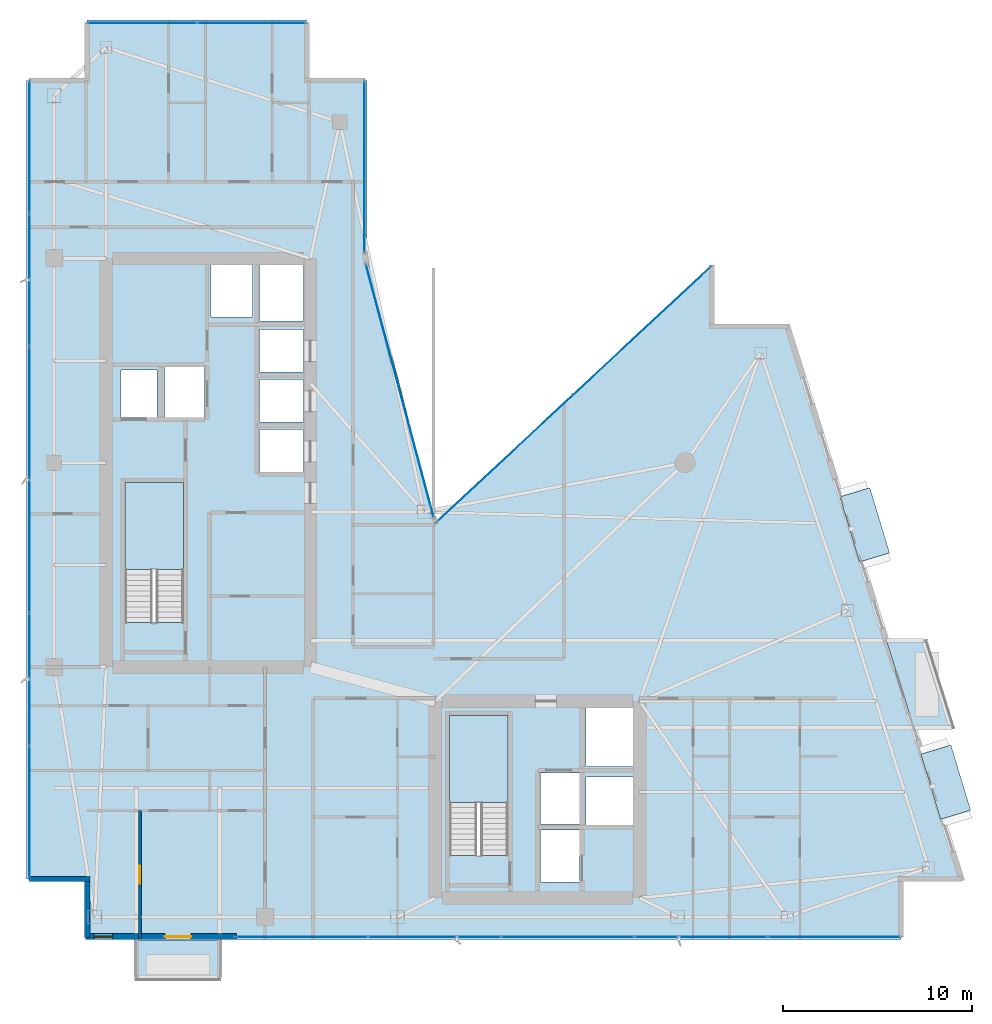
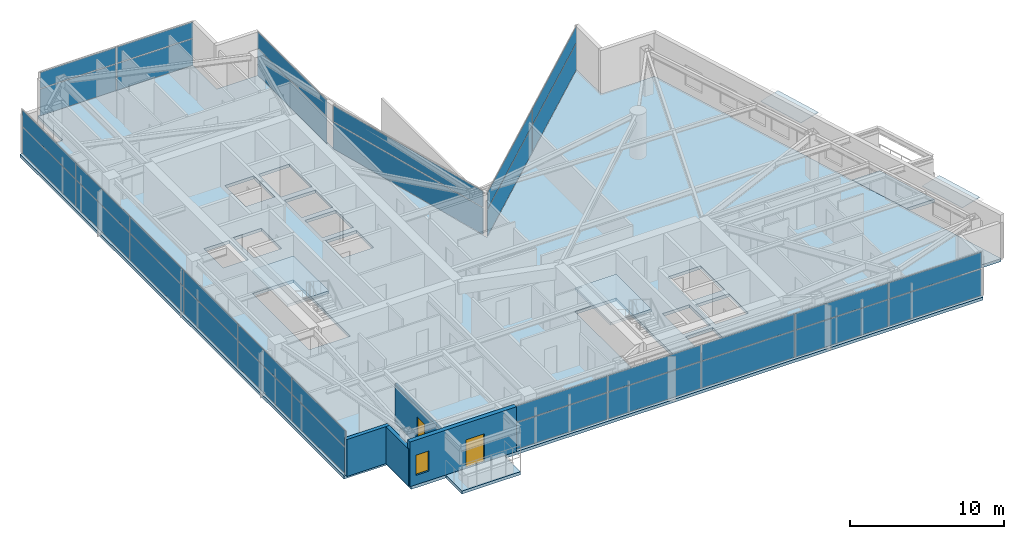
# One storey, part 21 of 27: 36 plates, 5 slabs, 4 walls, 2 doors, 1 window, 3 openings, 8 elements without a shape of their own.
"""IFC4 building model written with IfcOpenShell, lengths in metres."""

from ifc_helpers import new_model, si_unit, direction, frame, frame_2d, origin, origin_2d, place, context, subcontext, project, spatial, polyline, rectangle, outline, extrude, material, layer, layer_set, type_object, element, fill, aggregate, save


model = new_model("IFC4")

# Units and contexts
model_context = context("Model", 3, precision=1e-05, world=origin(), true_north=direction((0.0, 1.0)))
body_context = subcontext(model_context, "Body", "Model", "MODEL_VIEW")
ifc_project = project(units=[si_unit("LENGTHUNIT", "METRE"), si_unit("AREAUNIT", "SQUARE_METRE"), si_unit("VOLUMEUNIT", "CUBIC_METRE"), si_unit("PLANEANGLEUNIT", "RADIAN"), si_unit("MASSUNIT", "GRAM", prefix="KILO")], contexts=[model_context])

# Site, building, storey
site_placement = place(None, origin())
site = spatial("IfcSite", under=ifc_project, at=site_placement, CompositionType="ELEMENT")
building_placement = place(site_placement, origin())
building = spatial("IfcBuilding", under=site, at=building_placement, Name="Calvorn Quay Hotel", CompositionType="ELEMENT")
storey_placement = place(building_placement, frame((0.0, 0.0, 223.10009765625)))
storey = spatial("IfcBuildingStorey", under=building, at=storey_placement, Name="L55", CompositionType="ELEMENT", Elevation=223.10009765625)

# Curtain wall, plates
ifc_material_1 = material(Name="Champagne Bronze Anodised Aluminium and Low-E Glass", Category="aluminium")
ifc_layer_1 = layer(ifc_material_1, 0.219970703125)
ifc_layer_set_1 = layer_set([ifc_layer_1], Name="CW-SYS-Z3")
curtain_wall_type = type_object("IfcCurtainWallType", Name="CW-SYS-Z3", PredefinedType="NOTDEFINED", material=ifc_layer_set_1)
curtain_wall_1_placement = place(storey_placement, origin())
curtain_wall_1 = element("IfcCurtainWall", 1, at=curtain_wall_1_placement, inside=storey, type_object=curtain_wall_type, Name="Tower West Curtain Wall (L55)", PredefinedType="NOTDEFINED")
ifc_material_2 = material(Name="Low-E Laminated Double Glazing", Category="glass")
ifc_layer_2 = layer(ifc_material_2, 0.028076171875)
ifc_layer_set_2 = layer_set([ifc_layer_2], Name="CW-SYS-Z3-PAN")
plate_type_1 = type_object("IfcPlateType", Name="CW-SYS-Z3-PAN", PredefinedType="CURTAIN_PANEL", material=ifc_layer_set_2)
plate_1_placement = place(storey_placement, frame((0.14990234375, 9.131591796875, 0.06005859375), z_axis=(0.0, 0.0, 1.0), x_axis=(0.0, 1.0, 0.0)))
plate_1 = element("IfcPlate", 2, at=plate_1_placement, type_object=plate_type_1, Name="CW-L55-W panel 1.1", PredefinedType="CURTAIN_PANEL", context=body_context, shape_type="SweptSolid", body=[
    extrude(rectangle(XDim=6.943359375, YDim=0.028076171875, at=origin_2d()), origin(), (0.0, 0.0, 1.0), 2.110107421875),
])
plate_2_placement = place(storey_placement, frame((0.14990234375, 9.131591796875, 2.22998046875), z_axis=(0.0, 0.0, 1.0), x_axis=(0.0, 1.0, 0.0)))
plate_2 = element("IfcPlate", 3, at=plate_2_placement, type_object=plate_type_1, Name="CW-L55-W panel 1.2", PredefinedType="CURTAIN_PANEL", context=body_context, shape_type="SweptSolid", body=[
    extrude(rectangle(XDim=6.943359375, YDim=0.028076171875, at=origin_2d()), origin(), (0.0, 0.0, 1.0), 1.27001953125),
])
plate_3_placement = place(storey_placement, frame((0.14990234375, 16.14990234375, 0.06005859375), z_axis=(0.0, 0.0, 1.0), x_axis=(0.0, 1.0, 0.0)))
plate_3 = element("IfcPlate", 4, at=plate_3_placement, type_object=plate_type_1, Name="CW-L55-W panel 2.1", PredefinedType="CURTAIN_PANEL", context=body_context, shape_type="SweptSolid", body=[
    extrude(rectangle(XDim=6.973388671875, YDim=0.028076171875, at=origin_2d()), origin(), (0.0, 0.0, 1.0), 2.110107421875),
])
plate_4_placement = place(storey_placement, frame((0.14990234375, 16.14990234375, 2.22998046875), z_axis=(0.0, 0.0, 1.0), x_axis=(0.0, 1.0, 0.0)))
plate_4 = element("IfcPlate", 5, at=plate_4_placement, type_object=plate_type_1, Name="CW-L55-W panel 2.2", PredefinedType="CURTAIN_PANEL", context=body_context, shape_type="SweptSolid", body=[
    extrude(rectangle(XDim=6.973388671875, YDim=0.028076171875, at=origin_2d()), origin(), (0.0, 0.0, 1.0), 1.27001953125),
])
plate_5_placement = place(storey_placement, frame((0.14990234375, 23.183349609375, 0.06005859375), z_axis=(0.0, 0.0, 1.0), x_axis=(0.0, 1.0, 0.0)))
plate_5 = element("IfcPlate", 6, at=plate_5_placement, type_object=plate_type_1, Name="CW-L55-W panel 3.1", PredefinedType="CURTAIN_PANEL", context=body_context, shape_type="SweptSolid", body=[
    extrude(rectangle(XDim=6.973388671875, YDim=0.028076171875, at=origin_2d()), origin(), (0.0, 0.0, 1.0), 2.110107421875),
])
plate_6_placement = place(storey_placement, frame((0.14990234375, 23.183349609375, 2.22998046875), z_axis=(0.0, 0.0, 1.0), x_axis=(0.0, 1.0, 0.0)))
plate_6 = element("IfcPlate", 7, at=plate_6_placement, type_object=plate_type_1, Name="CW-L55-W panel 3.2", PredefinedType="CURTAIN_PANEL", context=body_context, shape_type="SweptSolid", body=[
    extrude(rectangle(XDim=6.973388671875, YDim=0.028076171875, at=origin_2d()), origin(), (0.0, 0.0, 1.0), 1.27001953125),
])
plate_7_placement = place(storey_placement, frame((0.14990234375, 30.216552734375, 0.06005859375), z_axis=(0.0, 0.0, 1.0), x_axis=(0.0, 1.0, 0.0)))
plate_7 = element("IfcPlate", 8, at=plate_7_placement, type_object=plate_type_1, Name="CW-L55-W panel 4.1", PredefinedType="CURTAIN_PANEL", context=body_context, shape_type="SweptSolid", body=[
    extrude(rectangle(XDim=6.973388671875, YDim=0.028076171875, at=origin_2d()), origin(), (0.0, 0.0, 1.0), 2.110107421875),
])
plate_8_placement = place(storey_placement, frame((0.14990234375, 30.216552734375, 2.22998046875), z_axis=(0.0, 0.0, 1.0), x_axis=(0.0, 1.0, 0.0)))
plate_8 = element("IfcPlate", 9, at=plate_8_placement, type_object=plate_type_1, Name="CW-L55-W panel 4.2", PredefinedType="CURTAIN_PANEL", context=body_context, shape_type="SweptSolid", body=[
    extrude(rectangle(XDim=6.973388671875, YDim=0.028076171875, at=origin_2d()), origin(), (0.0, 0.0, 1.0), 1.27001953125),
])
plate_9_placement = place(storey_placement, frame((0.14990234375, 37.25, 0.06005859375), z_axis=(0.0, 0.0, 1.0), x_axis=(0.0, 1.0, 0.0)))
plate_9 = element("IfcPlate", 10, at=plate_9_placement, type_object=plate_type_1, Name="CW-L55-W panel 5.1", PredefinedType="CURTAIN_PANEL", context=body_context, shape_type="SweptSolid", body=[
    extrude(rectangle(XDim=6.973388671875, YDim=0.028076171875, at=origin_2d()), origin(), (0.0, 0.0, 1.0), 2.110107421875),
])
plate_10_placement = place(storey_placement, frame((0.14990234375, 37.25, 2.22998046875), z_axis=(0.0, 0.0, 1.0), x_axis=(0.0, 1.0, 0.0)))
plate_10 = element("IfcPlate", 11, at=plate_10_placement, type_object=plate_type_1, Name="CW-L55-W panel 5.2", PredefinedType="CURTAIN_PANEL", context=body_context, shape_type="SweptSolid", body=[
    extrude(rectangle(XDim=6.973388671875, YDim=0.028076171875, at=origin_2d()), origin(), (0.0, 0.0, 1.0), 1.27001953125),
])
plate_11_placement = place(storey_placement, frame((0.14990234375, 44.268310546875, 0.06005859375), z_axis=(0.0, 0.0, 1.0), x_axis=(0.0, 1.0, 0.0)))
plate_11 = element("IfcPlate", 12, at=plate_11_placement, type_object=plate_type_1, Name="CW-L55-W panel 6.1", PredefinedType="CURTAIN_PANEL", context=body_context, shape_type="SweptSolid", body=[
    extrude(rectangle(XDim=6.943359375, YDim=0.028076171875, at=origin_2d()), origin(), (0.0, 0.0, 1.0), 2.110107421875),
])
plate_12_placement = place(storey_placement, frame((0.14990234375, 44.268310546875, 2.22998046875), z_axis=(0.0, 0.0, 1.0), x_axis=(0.0, 1.0, 0.0)))
plate_12 = element("IfcPlate", 13, at=plate_12_placement, type_object=plate_type_1, Name="CW-L55-W panel 6.2", PredefinedType="CURTAIN_PANEL", context=body_context, shape_type="SweptSolid", body=[
    extrude(rectangle(XDim=6.943359375, YDim=0.028076171875, at=origin_2d()), origin(), (0.0, 0.0, 1.0), 1.27001953125),
])
aggregate(curtain_wall_1, [plate_1, plate_2, plate_3, plate_4, plate_5, plate_6, plate_7, plate_8, plate_9, plate_10, plate_11, plate_12])

curtain_wall_2_placement = place(storey_placement, origin())
curtain_wall_2 = element("IfcCurtainWall", 14, at=curtain_wall_2_placement, inside=storey, type_object=curtain_wall_type, Name="Tower South Waterfront Curtain Wall (L55)", PredefinedType="NOTDEFINED")
plate_13_placement = place(storey_placement, frame((14.534912109375, 2.550048828125, 0.06005859375), z_axis=(0.0, 0.0, 1.0), x_axis=(1.0, 0.0, 0.0)))
plate_13 = element("IfcPlate", 15, at=plate_13_placement, type_object=plate_type_1, Name="CW-L55-S panel 1.1", PredefinedType="CURTAIN_PANEL", context=body_context, shape_type="SweptSolid", body=[
    extrude(rectangle(XDim=6.949951171875, YDim=0.028076171875, at=origin_2d()), origin(), (0.0, 0.0, 1.0), 2.110107421875),
])
plate_14_placement = place(storey_placement, frame((14.534912109375, 2.550048828125, 2.22998046875), z_axis=(0.0, 0.0, 1.0), x_axis=(1.0, 0.0, 0.0)))
plate_14 = element("IfcPlate", 16, at=plate_14_placement, type_object=plate_type_1, Name="CW-L55-S panel 1.2", PredefinedType="CURTAIN_PANEL", context=body_context, shape_type="SweptSolid", body=[
    extrude(rectangle(XDim=6.949951171875, YDim=0.028076171875, at=origin_2d()), origin(), (0.0, 0.0, 1.0), 1.27001953125),
])
plate_15_placement = place(storey_placement, frame((21.56005859375, 2.550048828125, 0.06005859375), z_axis=(0.0, 0.0, 1.0), x_axis=(1.0, 0.0, 0.0)))
plate_15 = element("IfcPlate", 17, at=plate_15_placement, type_object=plate_type_1, Name="CW-L55-S panel 2.1", PredefinedType="CURTAIN_PANEL", context=body_context, shape_type="SweptSolid", body=[
    extrude(rectangle(XDim=6.97998046875, YDim=0.028076171875, at=origin_2d()), origin(), (0.0, 0.0, 1.0), 2.110107421875),
])
plate_16_placement = place(storey_placement, frame((21.56005859375, 2.550048828125, 2.22998046875), z_axis=(0.0, 0.0, 1.0), x_axis=(1.0, 0.0, 0.0)))
plate_16 = element("IfcPlate", 18, at=plate_16_placement, type_object=plate_type_1, Name="CW-L55-S panel 2.2", PredefinedType="CURTAIN_PANEL", context=body_context, shape_type="SweptSolid", body=[
    extrude(rectangle(XDim=6.97998046875, YDim=0.028076171875, at=origin_2d()), origin(), (0.0, 0.0, 1.0), 1.27001953125),
])
plate_17_placement = place(storey_placement, frame((28.60009765625, 2.550048828125, 0.06005859375), z_axis=(0.0, 0.0, 1.0), x_axis=(1.0, 0.0, 0.0)))
plate_17 = element("IfcPlate", 19, at=plate_17_placement, type_object=plate_type_1, Name="CW-L55-S panel 3.1", PredefinedType="CURTAIN_PANEL", context=body_context, shape_type="SweptSolid", body=[
    extrude(rectangle(XDim=6.97998046875, YDim=0.028076171875, at=origin_2d()), origin(), (0.0, 0.0, 1.0), 2.110107421875),
])
plate_18_placement = place(storey_placement, frame((28.60009765625, 2.550048828125, 2.22998046875), z_axis=(0.0, 0.0, 1.0), x_axis=(1.0, 0.0, 0.0)))
plate_18 = element("IfcPlate", 20, at=plate_18_placement, type_object=plate_type_1, Name="CW-L55-S panel 3.2", PredefinedType="CURTAIN_PANEL", context=body_context, shape_type="SweptSolid", body=[
    extrude(rectangle(XDim=6.97998046875, YDim=0.028076171875, at=origin_2d()), origin(), (0.0, 0.0, 1.0), 1.27001953125),
])
plate_19_placement = place(storey_placement, frame((35.639892578125, 2.550048828125, 0.06005859375), z_axis=(0.0, 0.0, 1.0), x_axis=(1.0, 0.0, 0.0)))
plate_19 = element("IfcPlate", 21, at=plate_19_placement, type_object=plate_type_1, Name="CW-L55-S panel 4.1", PredefinedType="CURTAIN_PANEL", context=body_context, shape_type="SweptSolid", body=[
    extrude(rectangle(XDim=6.97998046875, YDim=0.028076171875, at=origin_2d()), origin(), (0.0, 0.0, 1.0), 2.110107421875),
])
plate_20_placement = place(storey_placement, frame((35.639892578125, 2.550048828125, 2.22998046875), z_axis=(0.0, 0.0, 1.0), x_axis=(1.0, 0.0, 0.0)))
plate_20 = element("IfcPlate", 22, at=plate_20_placement, type_object=plate_type_1, Name="CW-L55-S panel 4.2", PredefinedType="CURTAIN_PANEL", context=body_context, shape_type="SweptSolid", body=[
    extrude(rectangle(XDim=6.97998046875, YDim=0.028076171875, at=origin_2d()), origin(), (0.0, 0.0, 1.0), 1.27001953125),
])
plate_21_placement = place(storey_placement, frame((42.6650390625, 2.550048828125, 0.06005859375), z_axis=(0.0, 0.0, 1.0), x_axis=(1.0, 0.0, 0.0)))
plate_21 = element("IfcPlate", 23, at=plate_21_placement, type_object=plate_type_1, Name="CW-L55-S panel 5.1", PredefinedType="CURTAIN_PANEL", context=body_context, shape_type="SweptSolid", body=[
    extrude(rectangle(XDim=6.949951171875, YDim=0.028076171875, at=origin_2d()), origin(), (0.0, 0.0, 1.0), 2.110107421875),
])
plate_22_placement = place(storey_placement, frame((42.6650390625, 2.550048828125, 2.22998046875), z_axis=(0.0, 0.0, 1.0), x_axis=(1.0, 0.0, 0.0)))
plate_22 = element("IfcPlate", 24, at=plate_22_placement, type_object=plate_type_1, Name="CW-L55-S panel 5.2", PredefinedType="CURTAIN_PANEL", context=body_context, shape_type="SweptSolid", body=[
    extrude(rectangle(XDim=6.949951171875, YDim=0.028076171875, at=origin_2d()), origin(), (0.0, 0.0, 1.0), 1.27001953125),
])
aggregate(curtain_wall_2, [plate_13, plate_14, plate_15, plate_16, plate_17, plate_18, plate_19, plate_20, plate_21, plate_22])

curtain_wall_3_placement = place(storey_placement, origin())
curtain_wall_3 = element("IfcCurtainWall", 25, at=curtain_wall_3_placement, inside=storey, type_object=curtain_wall_type, Name="Inner Court Curtain Wall L55-NE1", PredefinedType="NOTDEFINED")
plate_23_placement = place(storey_placement, frame((32.5390625, 34.58984375, 0.06005859375), z_axis=(0.0, 0.0, 1.0), x_axis=(-0.731721570922, -0.681603655102, 0.0)))
plate_23 = element("IfcPlate", 26, at=plate_23_placement, type_object=plate_type_1, Name="CW-L55-NE1 panel 1.1", PredefinedType="CURTAIN_PANEL", context=body_context, shape_type="SweptSolid", body=[
    extrude(rectangle(XDim=9.886474609375, YDim=0.028076171875, at=origin_2d()), origin(), (0.0, 0.0, 1.0), 2.110107421875),
])
plate_24_placement = place(storey_placement, frame((32.5390625, 34.58984375, 2.22998046875), z_axis=(0.0, 0.0, 1.0), x_axis=(-0.731721570922, -0.681603655102, 0.0)))
plate_24 = element("IfcPlate", 27, at=plate_24_placement, type_object=plate_type_1, Name="CW-L55-NE1 panel 1.2", PredefinedType="CURTAIN_PANEL", context=body_context, shape_type="SweptSolid", body=[
    extrude(rectangle(XDim=9.886474609375, YDim=0.028076171875, at=origin_2d()), origin(), (0.0, 0.0, 1.0), 1.27001953125),
])
plate_25_placement = place(storey_placement, frame((25.260986328125, 27.810302734375, 0.06005859375), z_axis=(0.0, 0.0, 1.0), x_axis=(-0.731721570922, -0.681603655102, 0.0)))
plate_25 = element("IfcPlate", 28, at=plate_25_placement, type_object=plate_type_1, Name="CW-L55-NE1 panel 2.1", PredefinedType="CURTAIN_PANEL", context=body_context, shape_type="SweptSolid", body=[
    extrude(rectangle(XDim=9.886474609375, YDim=0.028076171875, at=origin_2d()), origin(), (0.0, 0.0, 1.0), 2.110107421875),
])
plate_26_placement = place(storey_placement, frame((25.260986328125, 27.810302734375, 2.22998046875), z_axis=(0.0, 0.0, 1.0), x_axis=(-0.731721570922, -0.681603655102, 0.0)))
plate_26 = element("IfcPlate", 29, at=plate_26_placement, type_object=plate_type_1, Name="CW-L55-NE1 panel 2.2", PredefinedType="CURTAIN_PANEL", context=body_context, shape_type="SweptSolid", body=[
    extrude(rectangle(XDim=9.886474609375, YDim=0.028076171875, at=origin_2d()), origin(), (0.0, 0.0, 1.0), 1.27001953125),
])
aggregate(curtain_wall_3, [plate_23, plate_24, plate_25, plate_26])

curtain_wall_4_placement = place(storey_placement, origin())
curtain_wall_4 = element("IfcCurtainWall", 30, at=curtain_wall_4_placement, inside=storey, type_object=curtain_wall_type, Name="Inner Court Curtain Wall L55-IC1", PredefinedType="NOTDEFINED")
plate_27_placement = place(storey_placement, frame((19.72509765625, 31.39990234375, 0.06005859375), z_axis=(0.0, 0.0, 1.0), x_axis=(-0.25877913024, 0.96593652056, 0.0)))
plate_27 = element("IfcPlate", 31, at=plate_27_placement, type_object=plate_type_1, Name="CW-L55-IC1 panel 1.1", PredefinedType="CURTAIN_PANEL", context=body_context, shape_type="SweptSolid", body=[
    extrude(rectangle(XDim=13.814697265625, YDim=0.028076171875, at=origin_2d()), origin(), (0.0, 0.0, 1.0), 2.110107421875),
])
plate_28_placement = place(storey_placement, frame((19.72509765625, 31.39990234375, 2.22998046875), z_axis=(0.0, 0.0, 1.0), x_axis=(-0.25877913024, 0.96593652056, 0.0)))
plate_28 = element("IfcPlate", 32, at=plate_28_placement, type_object=plate_type_1, Name="CW-L55-IC1 panel 1.2", PredefinedType="CURTAIN_PANEL", context=body_context, shape_type="SweptSolid", body=[
    extrude(rectangle(XDim=13.814697265625, YDim=0.028076171875, at=origin_2d()), origin(), (0.0, 0.0, 1.0), 1.27001953125),
])
aggregate(curtain_wall_4, [plate_27, plate_28])

curtain_wall_5_placement = place(storey_placement, origin())
curtain_wall_5 = element("IfcCurtainWall", 33, at=curtain_wall_5_placement, inside=storey, type_object=curtain_wall_type, Name="Inner Court Curtain Wall L55-IC2", PredefinedType="NOTDEFINED")
plate_29_placement = place(storey_placement, frame((17.85009765625, 43.239990234375, 0.06005859375), z_axis=(0.0, 0.0, 1.0), x_axis=(0.0, 1.0, 0.0)))
plate_29 = element("IfcPlate", 34, at=plate_29_placement, type_object=plate_type_1, Name="CW-L55-IC2 panel 1.1", PredefinedType="CURTAIN_PANEL", context=body_context, shape_type="SweptSolid", body=[
    extrude(rectangle(XDim=9.0, YDim=0.028076171875, at=origin_2d()), origin(), (0.0, 0.0, 1.0), 2.110107421875),
])
plate_30_placement = place(storey_placement, frame((17.85009765625, 43.239990234375, 2.22998046875), z_axis=(0.0, 0.0, 1.0), x_axis=(0.0, 1.0, 0.0)))
plate_30 = element("IfcPlate", 35, at=plate_30_placement, type_object=plate_type_1, Name="CW-L55-IC2 panel 1.2", PredefinedType="CURTAIN_PANEL", context=body_context, shape_type="SweptSolid", body=[
    extrude(rectangle(XDim=9.0, YDim=0.028076171875, at=origin_2d()), origin(), (0.0, 0.0, 1.0), 1.27001953125),
])
aggregate(curtain_wall_5, [plate_29, plate_30])

curtain_wall_6_placement = place(storey_placement, origin())
curtain_wall_6 = element("IfcCurtainWall", 36, at=curtain_wall_6_placement, inside=storey, type_object=curtain_wall_type, Name="Inner Court Curtain Wall L55-N1", PredefinedType="NOTDEFINED")
plate_31_placement = place(storey_placement, frame((11.885009765625, 50.85009765625, 0.06005859375), z_axis=(0.0, 0.0, 1.0), x_axis=(-1.0, 0.0, 0.0)))
plate_31 = element("IfcPlate", 37, at=plate_31_placement, type_object=plate_type_1, Name="CW-L55-N1 panel 1.1", PredefinedType="CURTAIN_PANEL", context=body_context, shape_type="SweptSolid", body=[
    extrude(rectangle(XDim=5.7099609375, YDim=0.028076171875, at=origin_2d()), origin(), (0.0, 0.0, 1.0), 2.110107421875),
])
plate_32_placement = place(storey_placement, frame((11.885009765625, 50.85009765625, 2.22998046875), z_axis=(0.0, 0.0, 1.0), x_axis=(-1.0, 0.0, 0.0)))
plate_32 = element("IfcPlate", 38, at=plate_32_placement, type_object=plate_type_1, Name="CW-L55-N1 panel 1.2", PredefinedType="CURTAIN_PANEL", context=body_context, shape_type="SweptSolid", body=[
    extrude(rectangle(XDim=5.7099609375, YDim=0.028076171875, at=origin_2d()), origin(), (0.0, 0.0, 1.0), 1.27001953125),
])
plate_33_placement = place(storey_placement, frame((6.114990234375, 50.85009765625, 0.06005859375), z_axis=(0.0, 0.0, 1.0), x_axis=(-1.0, 0.0, 0.0)))
plate_33 = element("IfcPlate", 39, at=plate_33_placement, type_object=plate_type_1, Name="CW-L55-N1 panel 2.1", PredefinedType="CURTAIN_PANEL", context=body_context, shape_type="SweptSolid", body=[
    extrude(rectangle(XDim=5.7099609375, YDim=0.028076171875, at=origin_2d()), origin(), (0.0, 0.0, 1.0), 2.110107421875),
])
plate_34_placement = place(storey_placement, frame((6.114990234375, 50.85009765625, 2.22998046875), z_axis=(0.0, 0.0, 1.0), x_axis=(-1.0, 0.0, 0.0)))
plate_34 = element("IfcPlate", 40, at=plate_34_placement, type_object=plate_type_1, Name="CW-L55-N1 panel 2.2", PredefinedType="CURTAIN_PANEL", context=body_context, shape_type="SweptSolid", body=[
    extrude(rectangle(XDim=5.7099609375, YDim=0.028076171875, at=origin_2d()), origin(), (0.0, 0.0, 1.0), 1.27001953125),
])
aggregate(curtain_wall_6, [plate_31, plate_32, plate_33, plate_34])

# Plates
ifc_material_3 = material(Name="Tempered Laminated Low-E Glass", Category="glass")
ifc_layer_3 = layer(ifc_material_3, 0.0380859375)
ifc_layer_set_3 = layer_set([ifc_layer_3], Name="PLT-HOOD-GLAZ")
plate_type_2 = type_object("IfcPlateType", Name="PLT-HOOD-GLAZ", PredefinedType="SHEET", material=ifc_layer_set_3)
for number, where, z_axis, x_axis, name in (
    (41, (48.573974609375, 10.718017578125, 2.466796875), (0.0, 0.0, 1.0), (0.957319497532, 0.289031796944, 0.0), "Angled Glass Bay Hood Panel L55-HOOD-1"),
    (42, (44.2890625, 24.318115234375, 2.466796875), (0.0, 0.0, 1.0), (0.957319497532, 0.289031796944, 0.0), "Angled Glass Bay Hood Panel L55-HOOD-3"),
):
    element("IfcPlate", number, at=place(storey_placement, frame(where, z_axis=z_axis, x_axis=x_axis)), inside=storey, type_object=plate_type_2, Name=name, PredefinedType="SHEET", context=body_context, shape_type="SweptSolid", body=[
        extrude(rectangle(XDim=1.659912109375, YDim=3.60009765625, at=origin_2d()), origin(), (0.0, 0.0, 1.0), 0.0380859375),
    ])

# Slabs
ifc_material_4 = material(Name="Concrete C40", Category="concrete")
ifc_layer_4 = layer(ifc_material_4, 0.239990234375)
ifc_layer_set_4 = layer_set([ifc_layer_4], Name="SLB-BALCONY-220")
slab_type_1 = type_object("IfcSlabType", Name="SLB-BALCONY-220", PredefinedType="FLOOR", material=ifc_layer_set_4)
slab_1_placement = place(storey_placement, frame((0.0, 0.0, -0.239990234375)))
element("IfcSlab", 43, at=slab_1_placement, inside=storey, type_object=slab_type_1, Name="Tree Balcony Slab L55-BALC-E", PredefinedType="FLOOR", context=body_context, shape_type="SweptSolid", body=[
    extrude(outline(polyline([(46.888916015625, 13.60009765625), (48.989013671875, 13.60009765625), (47.5400390625, 18.199951171875), (45.43994140625, 18.199951171875), (46.888916015625, 13.60009765625)])), origin(), (0.0, 0.0, 1.0), 0.239990234375),
])
slab_2_placement = place(storey_placement, frame((0.0, 0.0, -0.239990234375)))
element("IfcSlab", 44, at=slab_2_placement, inside=storey, type_object=slab_type_1, Name="Tree Balcony Slab L55-BALC-S", PredefinedType="FLOOR", context=body_context, shape_type="SweptSolid", body=[
    extrude(outline(polyline([(5.800048828125, 0.2900390625), (10.199951171875, 0.2900390625), (10.199951171875, 2.389892578125), (5.800048828125, 2.389892578125), (5.800048828125, 0.2900390625)])), origin(), (0.0, 0.0, 1.0), 0.239990234375),
])

# Stair, slab
ifc_material_5 = material(Name="Concrete C40", Category="concrete")
stair_type = type_object("IfcStairType", Name="STR-CORE-DOGLEG", PredefinedType="HALF_TURN_STAIR", material=ifc_material_5)
stair_1_placement = place(storey_placement, origin())
stair_1 = element("IfcStair", 45, at=stair_1_placement, inside=storey, type_object=stair_type, Name="L55 ST-W", PredefinedType="HALF_TURN_STAIR")
ifc_material_6 = material(Name="Concrete C40", Category="concrete")
ifc_layer_5 = layer(ifc_material_6, 0.199951171875)
ifc_layer_set_5 = layer_set([ifc_layer_5], Name="SLB-STAIR-LANDING-200")
slab_type_2 = type_object("IfcSlabType", Name="SLB-STAIR-LANDING-200", PredefinedType="LANDING", material=ifc_layer_set_5)
slab_3_placement = place(storey_placement, frame((0.0, 0.0, 1.699951171875)))
slab_3 = element("IfcSlab", 46, at=slab_3_placement, type_object=slab_type_2, Name="ST-W landing 1", PredefinedType="LANDING", context=body_context, shape_type="SweptSolid", body=[
    extrude(outline(polyline([(8.300048828125, 21.949951171875), (8.300048828125, 26.550048828125), (5.199951171875, 26.550048828125), (5.199951171875, 21.949951171875), (8.300048828125, 21.949951171875)])), origin(), (0.0, 0.0, 1.0), 0.199951171875),
])
aggregate(stair_1, [slab_3])

stair_2_placement = place(storey_placement, origin())
stair_2 = element("IfcStair", 47, at=stair_2_placement, inside=storey, type_object=stair_type, Name="L55 ST-E", PredefinedType="HALF_TURN_STAIR")
slab_4_placement = place(storey_placement, frame((0.0, 0.0, 1.699951171875)))
slab_4 = element("IfcSlab", 48, at=slab_4_placement, type_object=slab_type_2, Name="ST-E landing 1", PredefinedType="LANDING", context=body_context, shape_type="SweptSolid", body=[
    extrude(outline(polyline([(25.449951171875, 9.64990234375), (25.449951171875, 14.25), (22.35009765625, 14.25), (22.35009765625, 9.64990234375), (25.449951171875, 9.64990234375)])), origin(), (0.0, 0.0, 1.0), 0.199951171875),
])
aggregate(stair_2, [slab_4])

# Slab
ifc_material_7 = material(Name="Concrete C40", Category="concrete")
ifc_layer_6 = layer(ifc_material_7, 0.239990234375)
ifc_layer_set_6 = layer_set([ifc_layer_6], Name="SLB-TOWER-240")
slab_type_3 = type_object("IfcSlabType", Name="SLB-TOWER-240", PredefinedType="FLOOR", material=ifc_layer_set_6)
slab_5_placement = place(storey_placement, frame((0.0, 0.0, -0.239990234375)))
element("IfcSlab", 49, at=slab_5_placement, inside=storey, type_object=slab_type_3, Name="L55 Structural Floor Slab", PredefinedType="FLOOR", context=body_context, shape_type="SweptSolid", body=[
    extrude(outline(polyline([(0.0, 5.60009765625), (3.199951171875, 5.60009765625), (3.199951171875, 2.39990234375), (46.199951171875, 2.39990234375), (46.199951171875, 5.60009765625), (49.39990234375, 5.60009765625), (40.199951171875, 34.800048828125), (36.199951171875, 34.800048828125), (36.199951171875, 38.0), (21.60009765625, 24.39990234375), (18.0, 38.39990234375), (18.0, 47.800048828125), (14.800048828125, 47.800048828125), (14.800048828125, 51.0), (3.199951171875, 51.0), (3.199951171875, 47.800048828125), (0.0, 47.800048828125), (0.0, 5.60009765625)]), holes=[polyline([(5.199951171875, 19.156005859375), (8.300048828125, 19.156005859375), (8.300048828125, 26.550048828125), (5.199951171875, 26.550048828125), (5.199951171875, 19.156005859375)]), polyline([(22.35009765625, 6.85595703125), (25.449951171875, 6.85595703125), (25.449951171875, 14.25), (22.35009765625, 14.25), (22.35009765625, 6.85595703125)]), polyline([(5.0, 30.0), (6.89990234375, 30.0), (6.89990234375, 32.5), (5.0, 32.5), (5.0, 30.0)]), polyline([(7.300048828125, 30.0), (9.39990234375, 30.0), (9.39990234375, 32.64990234375), (7.300048828125, 32.64990234375), (7.300048828125, 30.0)]), polyline([(27.159912109375, 8.5), (29.2099609375, 8.5), (29.2099609375, 11.199951171875), (27.159912109375, 11.199951171875), (27.159912109375, 8.5)]), polyline([(27.159912109375, 5.449951171875), (29.2099609375, 5.449951171875), (29.2099609375, 8.199951171875), (27.159912109375, 8.199951171875), (27.159912109375, 5.449951171875)]), polyline([(12.300048828125, 27.10009765625), (14.639892578125, 27.10009765625), (14.639892578125, 29.35009765625), (12.300048828125, 29.35009765625), (12.300048828125, 27.10009765625)]), polyline([(12.300048828125, 29.75), (14.639892578125, 29.75), (14.639892578125, 32.0), (12.300048828125, 32.0), (12.300048828125, 29.75)]), polyline([(12.300048828125, 32.39990234375), (14.639892578125, 32.39990234375), (14.639892578125, 34.64990234375), (12.300048828125, 34.64990234375), (12.300048828125, 32.39990234375)]), polyline([(12.300048828125, 35.10009765625), (14.639892578125, 35.10009765625), (14.639892578125, 38.0400390625), (12.300048828125, 38.0400390625), (12.300048828125, 35.10009765625)]), polyline([(9.75, 35.300048828125), (11.949951171875, 35.300048828125), (11.949951171875, 38.0400390625), (9.75, 38.0400390625), (9.75, 35.300048828125)]), polyline([(29.550048828125, 11.550048828125), (32.0400390625, 11.550048828125), (32.0400390625, 14.639892578125), (29.550048828125, 14.639892578125), (29.550048828125, 11.550048828125)]), polyline([(29.550048828125, 8.449951171875), (32.0400390625, 8.449951171875), (32.0400390625, 11.0), (29.550048828125, 11.0), (29.550048828125, 8.449951171875)])]), origin(), (0.0, 0.0, 1.0), 0.239990234375),
])

# Wall, openings, door, window
ifc_material_8 = material(Name="Concrete C40", Category="concrete")
ifc_layer_7 = layer(ifc_material_8, 0.320068359375)
ifc_layer_set_7 = layer_set([ifc_layer_7], Name="WL-EXT-SPANDREL-320")
wall_type_1 = type_object("IfcWallType", Name="WL-EXT-SPANDREL-320", PredefinedType="SOLIDWALL", material=ifc_layer_set_7)
wall_1_placement = place(storey_placement, frame((3.10009765625, 2.56005859375, 0.0), z_axis=(0.0, 0.0, 1.0), x_axis=(1.0, 0.0, 0.0)))
wall_1 = element("IfcWall", 50, at=wall_1_placement, inside=storey, type_object=wall_type_1, Name="South Balcony Exterior Wall (L55)", PredefinedType="SOLIDWALL", context=body_context, shape_type="SweptSolid", body=[
    extrude(rectangle(XDim=8.0, YDim=0.320068359375, at=frame_2d((4.0, 0.0))), origin(), (0.0, 0.0, 1.0), 3.559814453125),
])
opening_1_placement = place(wall_1_placement, frame((0.449951171875, 0.0, 0.75)))
opening_1 = element("IfcOpeningElement", 51, at=opening_1_placement, cuts=wall_1, Name="Opening WSB-L55-1", PredefinedType="OPENING", context=body_context, shape_type="SweptSolid", body=[
    extrude(rectangle(XDim=1.0, YDim=1.60009765625, at=frame_2d((0.5, 0.800048828125))), frame((0.0, 0.169921875, 0.0), z_axis=(0.0, -1.0, 0.0), x_axis=(1.0, 0.0, 0.0)), (0.0, 0.0, 1.0), 0.340087890625),
])
opening_2_placement = place(wall_1_placement, frame((4.199951171875, 0.0, 0.0)))
opening_2 = element("IfcOpeningElement", 52, at=opening_2_placement, cuts=wall_1, Name="Opening DB-L55-2", PredefinedType="OPENING", context=body_context, shape_type="SweptSolid", body=[
    extrude(rectangle(XDim=1.39990234375, YDim=2.25, at=frame_2d((0.699951171875, 1.125))), frame((0.0, 0.169921875, 0.0), z_axis=(0.0, -1.0, 0.0), x_axis=(1.0, 0.0, 0.0)), (0.0, 0.0, 1.0), 0.340087890625),
])
ifc_material_9 = material(Name="Typhoon-Rated Low-E Aluminium Terrace Door", Category="aluminium")
door_type_1 = type_object("IfcDoorType", Name="DR-BALCONY-GLZ-1400", OperationType="NOTDEFINED", PredefinedType="DOOR", material=ifc_material_9)
door_1_placement = place(opening_2_placement, origin())
door_1 = element("IfcDoor", 53, at=door_1_placement, inside=storey, type_object=door_type_1, Name="Tree Balcony Terrace Door L55-BALC-S", OperationType="SINGLE_SWING_LEFT", OverallHeight=2.25, OverallWidth=1.39990234375, PredefinedType="DOOR", context=body_context, shape_type="SweptSolid", body=[
    extrude(rectangle(XDim=1.39990234375, YDim=2.25, at=frame_2d((0.699951171875, 1.125))), frame((0.0, 0.02490234375, 0.0), z_axis=(0.0, -1.0, 0.0), x_axis=(1.0, 0.0, 0.0)), (0.0, 0.0, 1.0), 0.050048828125),
])
fill(opening_2, door_1)
ifc_material_10 = material(Name="Self-Closing Class B Side Fire Window")
window_type = type_object("IfcWindowType", Name="WIN-REFUGE-NARROW-1000x1600", PartitioningType="SINGLE_PANEL", PredefinedType="WINDOW", material=ifc_material_10)
window_placement = place(opening_1_placement, origin())
window = element("IfcWindow", 54, at=window_placement, inside=storey, type_object=window_type, Name="South Waterfront Side Window (L55)", OverallHeight=1.60009765625, OverallWidth=1.0, PartitioningType="SINGLE_PANEL", PredefinedType="WINDOW", context=body_context, shape_type="SweptSolid", body=[
    extrude(rectangle(XDim=1.0, YDim=1.60009765625, at=frame_2d((0.5, 0.800048828125))), frame((0.0, 0.030029296875, 0.0), z_axis=(0.0, -1.0, 0.0), x_axis=(1.0, 0.0, 0.0)), (0.0, 0.0, 1.0), 0.06005859375),
])
fill(opening_1, window)

# Walls
wall_2_placement = place(storey_placement, frame((0.1201171875, 5.60009765625, 0.0), z_axis=(0.0, 0.0, 1.0), x_axis=(1.0, 0.0, 0.0)))
element("IfcWall", 55, at=wall_2_placement, inside=storey, type_object=wall_type_1, Name="Notched Corner Spandrel L55-SW1", PredefinedType="SOLIDWALL", context=body_context, shape_type="SweptSolid", body=[
    extrude(rectangle(XDim=3.219970703125, YDim=0.280029296875, at=frame_2d((1.60986328125, 0.0))), origin(), (0.0, 0.0, 1.0), 2.93994140625),
])
wall_3_placement = place(storey_placement, frame((3.199951171875, 5.4599609375, 0.0), z_axis=(0.0, 0.0, 1.0), x_axis=(0.0, -1.0, 0.0)))
element("IfcWall", 56, at=wall_3_placement, inside=storey, type_object=wall_type_1, Name="Notched Corner Spandrel L55-SW2", PredefinedType="SOLIDWALL", context=body_context, shape_type="SweptSolid", body=[
    extrude(rectangle(XDim=2.93994140625, YDim=0.280029296875, at=frame_2d((1.469970703125, 0.0))), origin(), (0.0, 0.0, 1.0), 2.93994140625),
])

# Wall, opening, door
ifc_material_11 = material(Name="Double-Stud Acoustic Gypsum Partition")
ifc_layer_8 = layer(ifc_material_11, 0.159912109375)
ifc_layer_set_8 = layer_set([ifc_layer_8], Name="WL-INTERSUITE-160")
wall_type_2 = type_object("IfcWallType", Name="WL-INTERSUITE-160", PredefinedType="PARTITIONING", material=ifc_layer_set_8)
wall_4_placement = place(storey_placement, frame((5.97998046875, 2.43994140625, 0.0), z_axis=(0.0, 0.0, 1.0), x_axis=(0.0, 1.0, 0.0)))
wall_4 = element("IfcWall", 57, at=wall_4_placement, inside=storey, type_object=wall_type_2, Name="Partition Wall L55-WL-U01-MSP", PredefinedType="PARTITIONING", context=body_context, shape_type="SweptSolid", body=[
    extrude(rectangle(XDim=6.780029296875, YDim=0.159912109375, at=frame_2d((3.39013671875, 0.0))), origin(), (0.0, 0.0, 1.0), 3.08984375),
])
opening_3_placement = place(wall_4_placement, frame((2.909912109375, 0.0, 0.0)))
opening_3 = element("IfcOpeningElement", 58, at=opening_3_placement, cuts=wall_4, Name="Opening D-L55-M01", PredefinedType="OPENING", context=body_context, shape_type="SweptSolid", body=[
    extrude(rectangle(XDim=0.9599609375, YDim=2.199951171875, at=frame_2d((0.47998046875, 1.10009765625))), frame((0.0, 0.08984375, 0.0), z_axis=(0.0, -1.0, 0.0), x_axis=(1.0, 0.0, 0.0)), (0.0, 0.0, 1.0), 0.179931640625),
])
ifc_material_12 = material(Name="Solid Timber Internal Suite Door", Category="wood")
door_type_2 = type_object("IfcDoorType", Name="DR-SUITE-INT-960", OperationType="NOTDEFINED", PredefinedType="DOOR", material=ifc_material_12)
door_2_placement = place(opening_3_placement, origin())
door_2 = element("IfcDoor", 59, at=door_2_placement, inside=storey, type_object=door_type_2, Name="Suite Bedroom Door 01", OperationType="SINGLE_SWING_LEFT", OverallHeight=2.199951171875, OverallWidth=0.9599609375, PredefinedType="DOOR", context=body_context, shape_type="SweptSolid", body=[
    extrude(rectangle(XDim=0.9599609375, YDim=2.199951171875, at=frame_2d((0.47998046875, 1.10009765625))), frame((0.0, 0.02490234375, 0.0), z_axis=(0.0, -1.0, 0.0), x_axis=(1.0, 0.0, 0.0)), (0.0, 0.0, 1.0), 0.050048828125),
])
fill(opening_3, door_2)

save(model, "model.ifc")
